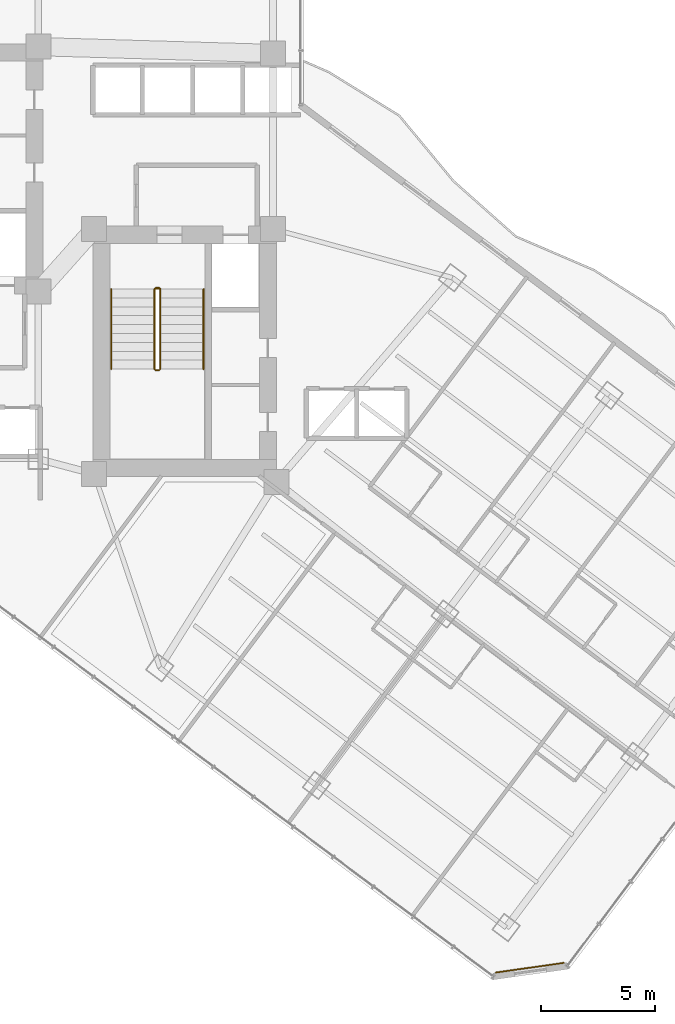
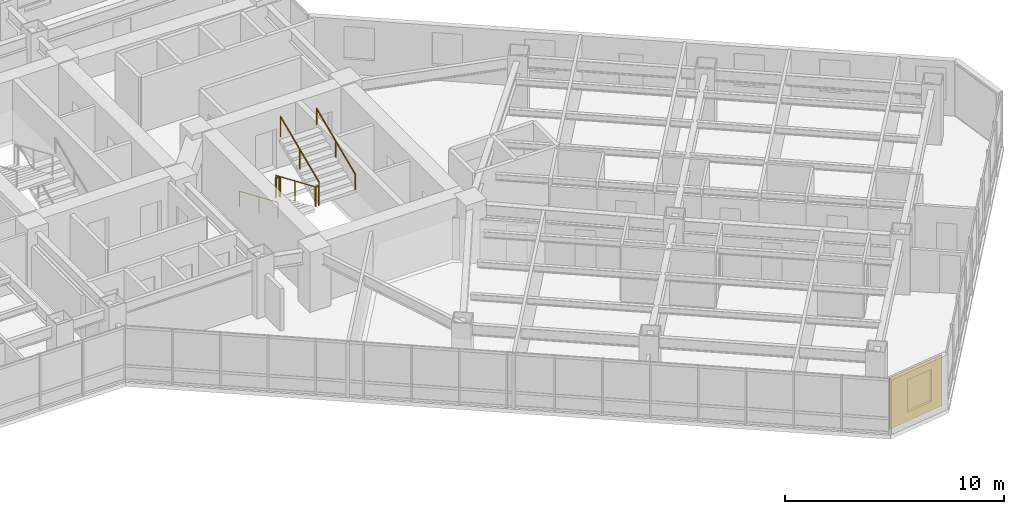
# One storey, part 33 of 36: 7 railings, 1 covering.
"""IFC4 building model written with IfcOpenShell, lengths in metres."""

from ifc_helpers import new_model, si_unit, direction, frame, origin, origin_2d, place, context, subcontext, project, spatial, rectangle, circle, extrude, material, layer, layer_set, type_object, element, save


model = new_model("IFC4")

# Units and contexts
model_context = context("Model", 3, precision=1e-05, world=origin(), true_north=direction((0.0, 1.0)))
body_context = subcontext(model_context, "Body", "Model", "MODEL_VIEW")
ifc_project = project(units=[si_unit("LENGTHUNIT", "METRE"), si_unit("AREAUNIT", "SQUARE_METRE"), si_unit("VOLUMEUNIT", "CUBIC_METRE"), si_unit("PLANEANGLEUNIT", "RADIAN"), si_unit("MASSUNIT", "GRAM", prefix="KILO")], contexts=[model_context])

# Site, building, storey
site_placement = place(None, origin())
site = spatial("IfcSite", under=ifc_project, at=site_placement, CompositionType="ELEMENT")
building_placement = place(site_placement, origin())
building = spatial("IfcBuilding", under=site, at=building_placement, Name="Hatsunagi Terrace Concourse", CompositionType="ELEMENT")
storey_placement = place(building_placement, frame((0.0, 0.0, 88.0)))
storey = spatial("IfcBuildingStorey", under=building, at=storey_placement, Name="L23", CompositionType="ELEMENT", Elevation=88.0)

# Railings
ifc_material_1 = material(Name="Stainless steel", Category="steel")
ifc_layer_1 = layer(ifc_material_1, 0.044921875)
ifc_layer_set_1 = layer_set([ifc_layer_1], Name="StairPitchHandrail_Tower2000")
railing_type_1 = type_object("IfcRailingType", Name="StairPitchHandrail_Tower2000", PredefinedType="HANDRAIL", material=ifc_layer_set_1)
railing_1_placement = place(storey_placement, frame((36.550048828125, 32.659912109375, 0.16748046875)))
element("IfcRailing", 1, at=railing_1_placement, inside=storey, type_object=railing_type_1, Name="L23 ST-B stair handrail 1", PredefinedType="HANDRAIL", context=body_context, shape_type="SweptSolid", body=[
    extrude(circle(Radius=0.02392578125, at=origin_2d()), frame((0.0, 0.0, 0.8759765625), z_axis=(0.0, -0.918834009242, 0.394644223904), x_axis=(1.0, 0.0, 0.0)), (0.0, 0.0, 1.0), 3.820068359375),
    extrude(circle(Radius=0.02099609375, at=origin_2d()), origin(), (0.0, 0.0, 1.0), 0.851806640625),
    extrude(circle(Radius=0.02099609375, at=origin_2d()), frame((0.0, -1.7548828125, 0.75390625)), (0.0, 0.0, 1.0), 0.851806640625),
    extrude(circle(Radius=0.02099609375, at=origin_2d()), frame((0.0, -3.510009765625, 1.507568359375)), (0.0, 0.0, 1.0), 0.851806640625),
])
railing_2_placement = place(storey_placement, frame((40.60009765625, 29.14990234375, 1.842529296875)))
element("IfcRailing", 2, at=railing_2_placement, inside=storey, type_object=railing_type_1, Name="L23 ST-B stair handrail 2", PredefinedType="HANDRAIL", context=body_context, shape_type="SweptSolid", body=[
    extrude(circle(Radius=0.02392578125, at=origin_2d()), frame((0.0, 0.0, 0.8759765625), z_axis=(0.0, 0.918834009242, 0.394644223904), x_axis=(-1.0, 0.0, 0.0)), (0.0, 0.0, 1.0), 3.820068359375),
    extrude(circle(Radius=0.02099609375, at=origin_2d()), origin(), (0.0, 0.0, 1.0), 0.851806640625),
    extrude(circle(Radius=0.02099609375, at=origin_2d()), frame((0.0, 1.7548828125, 0.75390625)), (0.0, 0.0, 1.0), 0.851806640625),
    extrude(circle(Radius=0.02099609375, at=origin_2d()), frame((0.0, 3.510009765625, 1.507568359375)), (0.0, 0.0, 1.0), 0.851806640625),
])
ifc_material_2 = material(Name="Stainless steel", Category="steel")
ifc_layer_2 = layer(ifc_material_2, 0.06005859375)
ifc_layer_set_2 = layer_set([ifc_layer_2], Name="StairWellGuard_Tower2000")
railing_type_2 = type_object("IfcRailingType", Name="StairWellGuard_Tower2000", PredefinedType="BALUSTRADE", material=ifc_layer_set_2)
railing_3_placement = place(storey_placement, frame((38.449951171875, 32.659912109375, 0.16748046875)))
element("IfcRailing", 3, at=railing_3_placement, inside=storey, type_object=railing_type_2, Name="L23 ST-B stair guard 1", PredefinedType="BALUSTRADE", context=body_context, shape_type="SweptSolid", body=[
    extrude(circle(Radius=0.02392578125, at=origin_2d()), frame((0.0, 0.0, 1.09619140625), z_axis=(0.0, -0.918834009242, 0.394644223904), x_axis=(1.0, 0.0, 0.0)), (0.0, 0.0, 1.0), 3.820068359375),
    extrude(circle(Radius=0.02099609375, at=origin_2d()), origin(), (0.0, 0.0, 1.0), 1.072021484375),
    extrude(circle(Radius=0.02099609375, at=origin_2d()), frame((0.0, -1.7548828125, 0.75390625)), (0.0, 0.0, 1.0), 1.072021484375),
    extrude(circle(Radius=0.02099609375, at=origin_2d()), frame((0.0, -3.510009765625, 1.507568359375)), (0.0, 0.0, 1.0), 1.072021484375),
])
railing_4_placement = place(storey_placement, frame((38.5, 29.10009765625, 1.675048828125)))
element("IfcRailing", 4, at=railing_4_placement, inside=storey, type_object=railing_type_2, Name="L23 ST-B stair guard 2", PredefinedType="BALUSTRADE", context=body_context, shape_type="SweptSolid", body=[
    extrude(circle(Radius=0.02392578125, at=origin_2d()), frame((0.0, 0.0, 1.09619140625), z_axis=(1.0, 0.0, 0.0), x_axis=(0.0, 1.0, 0.0)), (0.0, 0.0, 1.0), 0.14990234375),
    extrude(circle(Radius=0.02099609375, at=origin_2d()), origin(), (0.0, 0.0, 1.0), 1.072021484375),
    extrude(circle(Radius=0.02099609375, at=origin_2d()), frame((0.14990234375, 0.0, 0.0)), (0.0, 0.0, 1.0), 1.072021484375),
])
railing_5_placement = place(storey_placement, frame((38.699951171875, 29.14990234375, 1.842529296875)))
element("IfcRailing", 5, at=railing_5_placement, inside=storey, type_object=railing_type_2, Name="L23 ST-B stair guard 3", PredefinedType="BALUSTRADE", context=body_context, shape_type="SweptSolid", body=[
    extrude(circle(Radius=0.02392578125, at=origin_2d()), frame((0.0, 0.0, 1.09619140625), z_axis=(0.0, 0.918834009242, 0.394644223904), x_axis=(-1.0, 0.0, 0.0)), (0.0, 0.0, 1.0), 3.820068359375),
    extrude(circle(Radius=0.02099609375, at=origin_2d()), origin(), (0.0, 0.0, 1.0), 1.072021484375),
    extrude(circle(Radius=0.02099609375, at=origin_2d()), frame((0.0, 1.7548828125, 0.75390625)), (0.0, 0.0, 1.0), 1.072021484375),
    extrude(circle(Radius=0.02099609375, at=origin_2d()), frame((0.0, 3.510009765625, 1.507568359375)), (0.0, 0.0, 1.0), 1.072021484375),
])
railing_6_placement = place(storey_placement, frame((38.5, 32.7099609375, 0.0)))
element("IfcRailing", 6, at=railing_6_placement, inside=storey, type_object=railing_type_2, Name="L23 ST-B stair guard 4", PredefinedType="BALUSTRADE", context=body_context, shape_type="SweptSolid", body=[
    extrude(circle(Radius=0.02392578125, at=origin_2d()), frame((0.0, 0.0, 1.09619140625), z_axis=(1.0, 0.0, 0.0), x_axis=(0.0, 1.0, 0.0)), (0.0, 0.0, 1.0), 0.14990234375),
    extrude(circle(Radius=0.02099609375, at=origin_2d()), origin(), (0.0, 0.0, 1.0), 1.072021484375),
    extrude(circle(Radius=0.02099609375, at=origin_2d()), frame((0.14990234375, 0.0, 0.0)), (0.0, 0.0, 1.0), 1.072021484375),
])
ifc_material_3 = material(Name="Stainless Steel SUS316 Post-and-Rail Guard", Category="steel")
ifc_layer_3 = layer(ifc_material_3, 0.080078125)
ifc_layer_set_3 = layer_set([ifc_layer_3], Name="TerracePlantedGuardRail_1200")
railing_type_3 = type_object("IfcRailingType", Name="TerracePlantedGuardRail_1200", PredefinedType="GUARDRAIL", material=ifc_layer_set_3)
railing_7_placement = place(storey_placement, frame((38.449951171875, 32.679931640625, 0.0)))
element("IfcRailing", 7, at=railing_7_placement, inside=storey, type_object=railing_type_3, Name="Stair ST-B Well Closure Guard L23", PredefinedType="GUARDRAIL", context=body_context, shape_type="SweptSolid", body=[
    extrude(circle(Radius=0.02392578125, at=origin_2d()), frame((0.0, 0.0, 1.09619140625), z_axis=(1.0, 0.0, 0.0), x_axis=(0.0, 1.0, 0.0)), (0.0, 0.0, 1.0), 0.25),
    extrude(circle(Radius=0.02099609375, at=origin_2d()), origin(), (0.0, 0.0, 1.0), 1.072021484375),
    extrude(circle(Radius=0.02099609375, at=origin_2d()), frame((0.25, 0.0, 0.0)), (0.0, 0.0, 1.0), 1.072021484375),
])

# Covering
ifc_material_4 = material(Name="Unglazed Warm Terracotta Rainscreen Tile", Category="masonry")
ifc_layer_4 = layer(ifc_material_4, 0.044921875)
ifc_layer_set_4 = layer_set([ifc_layer_4], Name="TerracottaRainscreenCladding_45")
covering_type = type_object("IfcCoveringType", Name="TerracottaRainscreenCladding_45", PredefinedType="CLADDING", material=ifc_layer_set_4)
covering_placement = place(storey_placement, frame((54.91796875, 2.87890625, 0.099853515625), z_axis=(0.0, 0.0, 1.0), x_axis=(-0.989973920543, -0.141250262458, 0.0)))
element("IfcCovering", 8, at=covering_placement, inside=storey, type_object=covering_type, Name="Terracotta Rainscreen Cladding L23-04", PredefinedType="CLADDING", context=body_context, shape_type="SweptSolid", body=[
    extrude(rectangle(XDim=3.0380859375, YDim=0.044921875, at=origin_2d()), origin(), (0.0, 0.0, 1.0), 2.85009765625),
])

save(model, "model.ifc")
